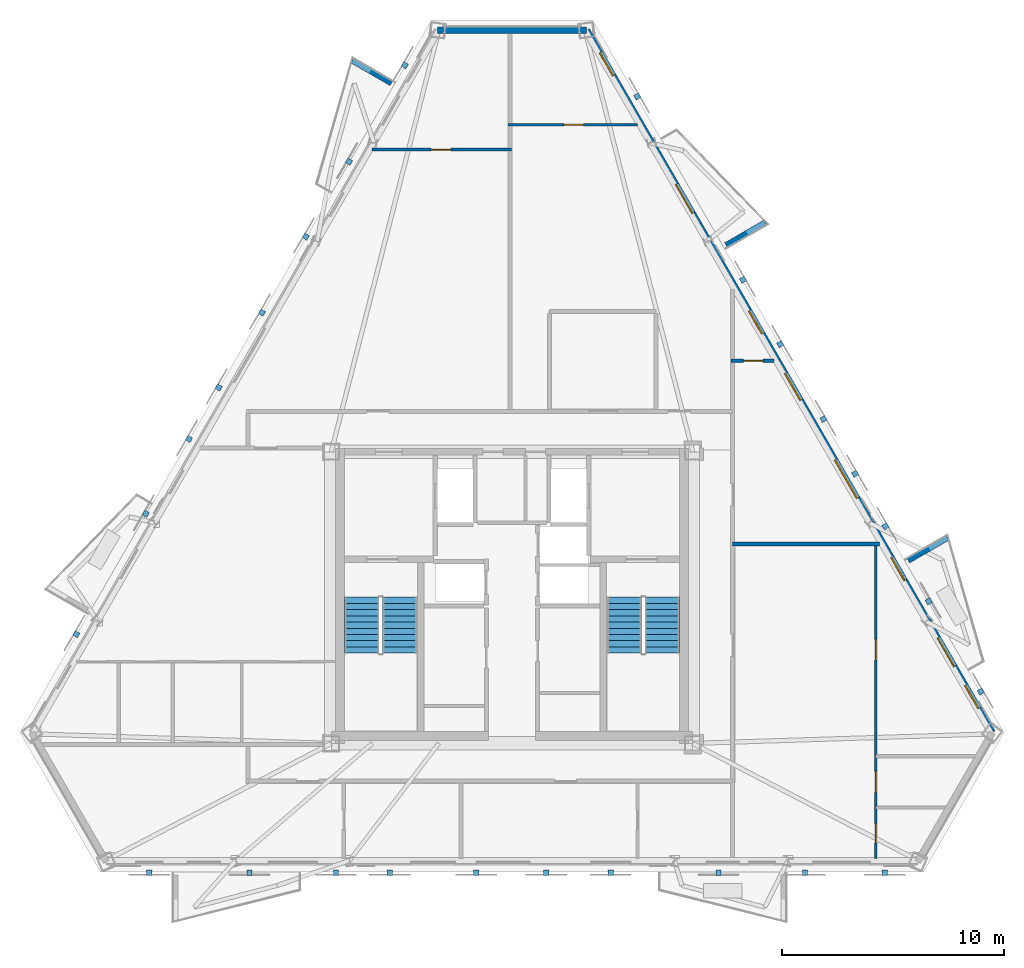
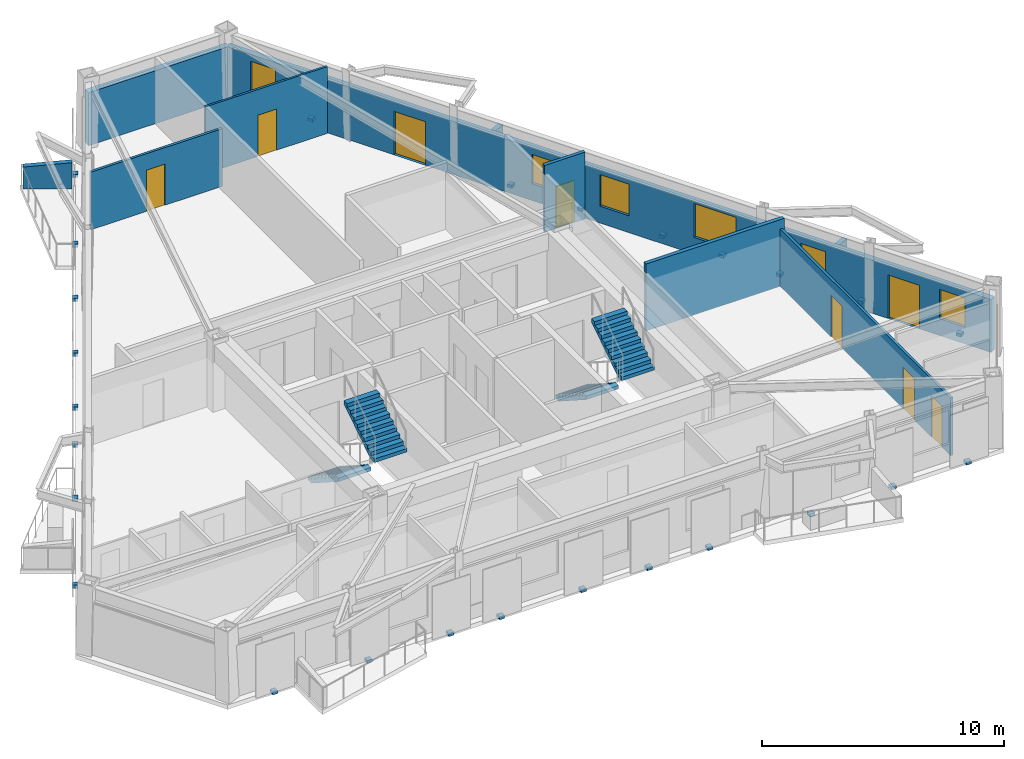
# One storey, part 5 of 8: 26 discrete accessories, 10 walls, 8 doors, 6 windows, 4 stair flights, 14 openings, 2 elements without a shape of their own.
"""IFC4 building model written with IfcOpenShell, lengths in metres."""

import ifcopenshell
import ifcopenshell.guid

model = None  # the IFC model being written
_history = None  # IfcOwnerHistory: only IFC2X3 demands one
_inside = {}  # id of a spatial element -> (the spatial element, [elements in it])
_under = {}  # id of a project, library or spatial element -> (it, [spatial elements below it])
_declared = {}  # id of a project -> (the project, [libraries it declares])
_typed = {}  # id of a type object -> (the type object, [elements of that type])
_made_of = {}  # id of a material, layer set ... -> (it, [elements and type objects made of it])


def new_model(schema):
    """Start an empty IFC model of exactly this schema.

    Asked for "IFC4X3", IfcOpenShell would pick the latest addendum, in which some entities
    have other attributes; the version numbers below select the first issue.
    IFC2X3 requires an IfcOwnerHistory on every rooted entity: one is made here for all.
    """
    global model, _history
    if schema == "IFC4X3":
        model = ifcopenshell.file(schema_version=(4, 3, 0, 0))
    else:
        model = ifcopenshell.file(schema=schema)
    _inside.clear()
    _under.clear()
    _declared.clear()
    _typed.clear()
    _made_of.clear()
    _history = None
    if model.schema == "IFC2X3":
        org = make("IfcOrganization", Name="unknown")
        user = make(
            "IfcPersonAndOrganization",
            ThePerson=make("IfcPerson", FamilyName="unknown"),
            TheOrganization=org,
        )
        app = make(
            "IfcApplication",
            ApplicationDeveloper=org,
            Version="unknown",
            ApplicationFullName="unknown",
            ApplicationIdentifier="unknown",
        )
        _history = make(
            "IfcOwnerHistory",
            OwningUser=user,
            OwningApplication=app,
            ChangeAction="ADDED",
            CreationDate=0,
        )
    return model


def make(cls, **values):
    """One entity of the class cls with the attributes given. An attribute that is None is left unset."""
    return model.create_entity(
        cls, **{name: value for name, value in values.items() if value is not None}
    )


def rooted(cls, **values):
    """An entity with a GlobalId (a new one), such as an element, a storey or a relation."""
    return make(cls, GlobalId=ifcopenshell.guid.new(), OwnerHistory=_history, **values)


def si_unit(unit_type, name, prefix=None):
    """IfcSIUnit, for example si_unit("LENGTHUNIT", "METRE", prefix="MILLI")."""
    return make("IfcSIUnit", UnitType=unit_type, Prefix=prefix, Name=name)


def assignment(units):
    """IfcUnitAssignment: the units of a project."""
    return None if units is None else make("IfcUnitAssignment", Units=units)


def point(xyz):
    """IfcCartesianPoint."""
    return None if xyz is None else make("IfcCartesianPoint", Coordinates=xyz)


def direction(xyz):
    """IfcDirection."""
    return None if xyz is None else make("IfcDirection", DirectionRatios=xyz)


def frame(location, z_axis=None, x_axis=None):
    """IfcAxis2Placement3D, a coordinate frame: its origin and axes. An axis left out is left unset."""
    return make(
        "IfcAxis2Placement3D",
        Location=point(location),
        Axis=direction(z_axis),
        RefDirection=direction(x_axis),
    )


def frame_2d(location, x_axis=None):
    """IfcAxis2Placement2D, a coordinate frame in the plane: its origin and x axis."""
    return make(
        "IfcAxis2Placement2D", Location=point(location), RefDirection=direction(x_axis)
    )


def origin():
    """The frame at (0, 0, 0) with its axes left unset."""
    return frame((0.0, 0.0, 0.0))


def origin_2d():
    """The frame at (0, 0) in the plane with its x axis left unset."""
    return frame_2d((0.0, 0.0))


def place(relative_to, where):
    """IfcLocalPlacement: puts the frame where relative to a parent placement (None: the world)."""
    return make(
        "IfcLocalPlacement", PlacementRelTo=relative_to, RelativePlacement=where
    )


def context(
    kind, dimensions, precision=None, world=None, true_north=None, identifier=None
):
    """IfcGeometricRepresentationContext, for example the 3D "Model" context."""
    return make(
        "IfcGeometricRepresentationContext",
        ContextIdentifier=identifier,
        ContextType=kind,
        CoordinateSpaceDimension=dimensions,
        Precision=precision,
        WorldCoordinateSystem=world,
        TrueNorth=true_north,
    )


def subcontext(parent, identifier, kind, view, scale=None):
    """IfcGeometricRepresentationSubContext, for example "Body" below "Model"."""
    return make(
        "IfcGeometricRepresentationSubContext",
        ContextIdentifier=identifier,
        ContextType=kind,
        ParentContext=parent,
        TargetScale=scale,
        TargetView=view,
    )


def project(units=None, contexts=None):
    """IfcProject with its units and contexts."""
    return rooted(
        "IfcProject",
        Name="project",
        RepresentationContexts=contexts,
        UnitsInContext=assignment(units),
    )


def spatial(cls, under=None, at=None, **own):
    """A site, building, storey or space (cls), placed at a placement, below another one or the project."""
    s = rooted(cls, ObjectPlacement=at, **own)
    if under is not None:
        _under.setdefault(under.id(), (under, []))[1].append(s)
    return s


def polyline(points):
    """IfcPolyline through the points."""
    return make("IfcPolyline", Points=[point(p) for p in points])


def profile(cls, at=None, kind="AREA", **sizes):
    """A parametric profile (cls). Its sizes go by their IFC names, for example OverallWidth=200.0."""
    return make(cls, ProfileType=kind, Position=at, **sizes)


def rectangle(**sizes):
    """IfcRectangleProfileDef."""
    return profile("IfcRectangleProfileDef", **sizes)


def outline(outer, holes=None, kind="AREA"):
    """IfcArbitraryClosedProfileDef: a profile drawn as a closed curve; with holes, ...WithVoids."""
    if holes is None:
        return make("IfcArbitraryClosedProfileDef", ProfileType=kind, OuterCurve=outer)
    return make(
        "IfcArbitraryProfileDefWithVoids",
        ProfileType=kind,
        OuterCurve=outer,
        InnerCurves=holes,
    )


def extrude(swept, where, along, depth):
    """IfcExtrudedAreaSolid: the profile swept, set in the frame where, extruded along a direction by depth."""
    return make(
        "IfcExtrudedAreaSolid",
        SweptArea=swept,
        Position=where,
        ExtrudedDirection=direction(along),
        Depth=depth,
    )


def shape(context_of_items, identifier, shape_type, items):
    """IfcShapeRepresentation: the items that make up one representation, for example the "Body"."""
    return make(
        "IfcShapeRepresentation",
        ContextOfItems=context_of_items,
        RepresentationIdentifier=identifier,
        RepresentationType=shape_type,
        Items=items,
    )


def material(Name=None, Category=None):
    """IfcMaterial."""
    return make("IfcMaterial", Name=Name, Category=Category)


def layer(
    of_material, thickness, ventilated=None, Name=None, Category=None, Priority=None
):
    """IfcMaterialLayer: one layer of a wall or slab, of a material (None: an air gap)."""
    return make(
        "IfcMaterialLayer",
        Material=of_material,
        LayerThickness=thickness,
        IsVentilated=ventilated,
        Name=Name,
        Category=Category,
        Priority=Priority,
    )


def layer_set(layers, Name=None):
    """IfcMaterialLayerSet."""
    return make("IfcMaterialLayerSet", MaterialLayers=layers, LayerSetName=Name)


def made_of(thing, what):
    """Note that an element or type object is made of a material, layer set ...; save() writes the relation."""
    if what is not None:
        _made_of.setdefault(what.id(), (what, []))[1].append(thing)
    return thing


def type_object(cls, material=None, **own):
    """A type object (cls), such as IfcWallType, which elements share."""
    return made_of(rooted(cls, **own), material)


def element(
    cls,
    number,
    at=None,
    inside=None,
    cuts=None,
    type_object=None,
    material=None,
    context=None,
    identifier="Body",
    shape_type=None,
    held_by="IfcProductDefinitionShape",
    body=None,
    shapes=None,
    **own,
):
    """One element of the class cls, such as IfcWall. Its Tag is "e" and its number.

    at: its placement. inside: the storey or other place that contains it. cuts: it is an
    opening in that element (IfcRelVoidsElement). A single representation is given by context,
    identifier, shape_type and body (its items); several are given by shapes. held_by: the class
    of the entity that holds the representations. save() writes the other relations.
    """
    e = rooted(cls, Tag="e%d" % number, ObjectPlacement=at, **own)
    if body is not None:
        shapes = [shape(context, identifier, shape_type, body)]
    if shapes is not None:
        e.Representation = make(held_by, Representations=shapes)
    if inside is not None:
        _inside.setdefault(inside.id(), (inside, []))[1].append(e)
    if cuts is not None:
        rooted(
            "IfcRelVoidsElement", RelatingBuildingElement=cuts, RelatedOpeningElement=e
        )
    if type_object is not None:
        _typed.setdefault(type_object.id(), (type_object, []))[1].append(e)
    return made_of(e, material)


def fill(opening, filler):
    """IfcRelFillsElement: the door or window that sits in an opening."""
    return rooted(
        "IfcRelFillsElement",
        RelatingOpeningElement=opening,
        RelatedBuildingElement=filler,
    )


def aggregate(whole, parts):
    """IfcRelAggregates: a whole, such as a stair, and the parts it consists of."""
    return rooted("IfcRelAggregates", RelatingObject=whole, RelatedObjects=parts)


def save(model, path):
    """Write the relations noted so far, then the file.

    IfcRelAggregates (storeys below a building ...), IfcRelContainedInSpatialStructure (elements
    in a storey), IfcRelDefinesByType, IfcRelAssociatesMaterial and IfcRelDeclares: one each for
    every whole, place, type object, material and project.
    """
    for whole, parts in _under.values():
        aggregate(whole, parts)
    for where, things in _inside.values():
        rooted(
            "IfcRelContainedInSpatialStructure",
            RelatedElements=things,
            RelatingStructure=where,
        )
    for kind, things in _typed.values():
        rooted("IfcRelDefinesByType", RelatedObjects=things, RelatingType=kind)
    for what, things in _made_of.values():
        rooted("IfcRelAssociatesMaterial", RelatedObjects=things, RelatingMaterial=what)
    for by, libraries in _declared.values():
        rooted("IfcRelDeclares", RelatingContext=by, RelatedDefinitions=libraries)
    model.write(path)


model = new_model("IFC4")

# Units and contexts
model_context = context("Model", 3, precision=1e-05, world=origin(), true_north=direction((0.0, 1.0)))
body_context = subcontext(model_context, "Body", "Model", "MODEL_VIEW")
ifc_project = project(units=[si_unit("LENGTHUNIT", "METRE"), si_unit("AREAUNIT", "SQUARE_METRE"), si_unit("VOLUMEUNIT", "CUBIC_METRE"), si_unit("PLANEANGLEUNIT", "RADIAN"), si_unit("MASSUNIT", "GRAM", prefix="KILO")], contexts=[model_context])

# Site, building, storey
site_placement = place(None, origin())
site = spatial("IfcSite", under=ifc_project, at=site_placement, CompositionType="ELEMENT")
building_placement = place(site_placement, origin())
building = spatial("IfcBuilding", under=site, at=building_placement, Name="Oramaril Tower", CompositionType="ELEMENT")
storey_placement = place(building_placement, frame((0.0, 0.0, 216.300048828125)))
storey = spatial("IfcBuildingStorey", under=building, at=storey_placement, Name="L57", CompositionType="ELEMENT", Elevation=216.300048828125)

# Wall, openings, doors, windows
ifc_material_1 = material(Name="Warm Cream Limestone", Category="masonry")
ifc_layer_1 = layer(ifc_material_1, 0.2900390625)
ifc_layer_set_1 = layer_set([ifc_layer_1], Name="WT-EXT29")
wall_type_1 = type_object("IfcWallType", Name="WT-EXT29", PredefinedType="SOLIDWALL", material=ifc_layer_set_1)
wall_1_placement = place(storey_placement, frame((59.1572265625, 11.485107421875, 0.0), z_axis=(0.0, 0.0, 1.0), x_axis=(-0.500000353019, 0.866025199969, 0.0)))
wall_1 = element("IfcWall", 1, at=wall_1_placement, inside=storey, type_object=wall_type_1, Name="L57 Tower Limestone Facade Wall 4M", PredefinedType="SOLIDWALL", context=body_context, shape_type="SweptSolid", body=[
    extrude(rectangle(XDim=36.57861328125, YDim=0.2900390625, at=frame_2d((18.289306640625, 0.0))), origin(), (0.0, 0.0, 1.0), 2.677001953125),
])
opening_1_placement = place(wall_1_placement, frame((3.429443359375, 0.0, 0.0)))
opening_1 = element("IfcOpeningElement", 2, at=opening_1_placement, cuts=wall_1, Name="Opening D-L57-BAL-NE1", PredefinedType="OPENING", context=body_context, shape_type="SweptSolid", body=[
    extrude(rectangle(XDim=1.5, YDim=2.199951171875, at=frame_2d((0.75, 1.10009765625))), frame((0.0, 0.14501953125, 0.0), z_axis=(0.0, -1.0, 0.0), x_axis=(1.0, 0.0, 0.0)), (0.0, 0.0, 1.0), 0.2900390625),
])
opening_2_placement = place(wall_1_placement, frame((27.044189453125, 0.0, 0.0)))
opening_2 = element("IfcOpeningElement", 3, at=opening_2_placement, cuts=wall_1, Name="Opening D-L57-BAL-NE2", PredefinedType="OPENING", context=body_context, shape_type="SweptSolid", body=[
    extrude(rectangle(XDim=1.5, YDim=2.199951171875, at=frame_2d((0.75, 1.10009765625))), frame((0.0, 0.14501953125, 0.0), z_axis=(0.0, -1.0, 0.0), x_axis=(1.0, 0.0, 0.0)), (0.0, 0.0, 1.0), 0.2900390625),
])
opening_3_placement = place(wall_1_placement, frame((7.912841796875, 0.0, 0.85009765625)))
opening_3 = element("IfcOpeningElement", 4, at=opening_3_placement, cuts=wall_1, Name="Opening WN-09", PredefinedType="OPENING", context=body_context, shape_type="SweptSolid", body=[
    extrude(rectangle(XDim=1.199951171875, YDim=1.47998046875, at=frame_2d((0.60009765625, 0.739990234375))), frame((0.0, 0.14501953125, 0.0), z_axis=(0.0, -1.0, 0.0), x_axis=(1.0, 0.0, 0.0)), (0.0, 0.0, 1.0), 0.2900390625),
])
opening_4_placement = place(wall_1_placement, frame((1.257568359375, 0.0, 0.85009765625)))
opening_4 = element("IfcOpeningElement", 5, at=opening_4_placement, cuts=wall_1, Name="Opening WN-09", PredefinedType="OPENING", context=body_context, shape_type="SweptSolid", body=[
    extrude(rectangle(XDim=1.199951171875, YDim=1.47998046875, at=frame_2d((0.60009765625, 0.739990234375))), frame((0.0, 0.14501953125, 0.0), z_axis=(0.0, -1.0, 0.0), x_axis=(1.0, 0.0, 0.0)), (0.0, 0.0, 1.0), 0.2900390625),
])
opening_5_placement = place(wall_1_placement, frame((12.19970703125, 0.0, 0.85009765625)))
opening_5 = element("IfcOpeningElement", 6, at=opening_5_placement, cuts=wall_1, Name="Opening WN-05", PredefinedType="OPENING", context=body_context, shape_type="SweptSolid", body=[
    extrude(rectangle(XDim=2.0, YDim=1.717041015625, at=frame_2d((1.0, 0.8583984375))), frame((0.0, 0.14501953125, 0.0), z_axis=(0.0, -1.0, 0.0), x_axis=(1.0, 0.0, 0.0)), (0.0, 0.0, 1.0), 0.2900390625),
])
opening_6_placement = place(wall_1_placement, frame((17.30224609375, 0.0, 0.85009765625)))
opening_6 = element("IfcOpeningElement", 7, at=opening_6_placement, cuts=wall_1, Name="Opening WN-08", PredefinedType="OPENING", context=body_context, shape_type="SweptSolid", body=[
    extrude(rectangle(XDim=1.39990234375, YDim=1.60009765625, at=frame_2d((0.699951171875, 0.800048828125))), frame((0.0, 0.14501953125, 0.0), z_axis=(0.0, -1.0, 0.0), x_axis=(1.0, 0.0, 0.0)), (0.0, 0.0, 1.0), 0.2900390625),
])
opening_7_placement = place(wall_1_placement, frame((20.75341796875, 0.0, 0.85009765625)))
opening_7 = element("IfcOpeningElement", 8, at=opening_7_placement, cuts=wall_1, Name="Opening WN-09", PredefinedType="OPENING", context=body_context, shape_type="SweptSolid", body=[
    extrude(rectangle(XDim=1.199951171875, YDim=1.47998046875, at=frame_2d((0.60009765625, 0.739990234375))), frame((0.0, 0.14501953125, 0.0), z_axis=(0.0, -1.0, 0.0), x_axis=(1.0, 0.0, 0.0)), (0.0, 0.0, 1.0), 0.2900390625),
])
opening_8_placement = place(wall_1_placement, frame((34.201416015625, 0.0, 0.85009765625)))
opening_8 = element("IfcOpeningElement", 9, at=opening_8_placement, cuts=wall_1, Name="Opening WN-09", PredefinedType="OPENING", context=body_context, shape_type="SweptSolid", body=[
    extrude(rectangle(XDim=1.199951171875, YDim=1.47998046875, at=frame_2d((0.60009765625, 0.739990234375))), frame((0.0, 0.14501953125, 0.0), z_axis=(0.0, -1.0, 0.0), x_axis=(1.0, 0.0, 0.0)), (0.0, 0.0, 1.0), 0.2900390625),
])
ifc_material_2 = material(Name="Anodised Aluminium 6063-T6", Category="aluminium")
door_type_1 = type_object("IfcDoorType", Name="DT-BAL", OperationType="NOTDEFINED", PredefinedType="DOOR", material=ifc_material_2)
door_1_placement = place(opening_1_placement, origin())
door_1 = element("IfcDoor", 10, at=door_1_placement, inside=storey, type_object=door_type_1, Name="L57 Balcony Glazed Door L57-BAL-NE1", OperationType="SINGLE_SWING_RIGHT", OverallHeight=2.199951171875, OverallWidth=1.5, PredefinedType="DOOR", context=body_context, shape_type="SweptSolid", body=[
    extrude(rectangle(XDim=1.5, YDim=2.199951171875, at=frame_2d((0.75, 1.10009765625))), frame((0.0, 0.02490234375, 0.0), z_axis=(0.0, -1.0, 0.0), x_axis=(1.0, 0.0, 0.0)), (0.0, 0.0, 1.0), 0.050048828125),
])
fill(opening_1, door_1)
door_2_placement = place(opening_2_placement, origin())
door_2 = element("IfcDoor", 11, at=door_2_placement, inside=storey, type_object=door_type_1, Name="L57 Balcony Glazed Door L57-BAL-NE2", OperationType="SINGLE_SWING_LEFT", OverallHeight=2.199951171875, OverallWidth=1.5, PredefinedType="DOOR", context=body_context, shape_type="SweptSolid", body=[
    extrude(rectangle(XDim=1.5, YDim=2.199951171875, at=frame_2d((0.75, 1.10009765625))), frame((0.0, 0.02490234375, 0.0), z_axis=(0.0, -1.0, 0.0), x_axis=(1.0, 0.0, 0.0)), (0.0, 0.0, 1.0), 0.050048828125),
])
fill(opening_2, door_2)
ifc_material_3 = material(Name="Coastal Low-E Insulated Glass", Category="glass")
window_type_1 = type_object("IfcWindowType", Name="WNT-05", PartitioningType="SINGLE_PANEL", PredefinedType="WINDOW", material=ifc_material_3)
window_1_placement = place(opening_5_placement, origin())
window_1 = element("IfcWindow", 12, at=window_1_placement, inside=storey, type_object=window_type_1, Name="L57 Chicago Bay Window WN-05", OverallHeight=1.717041015625, OverallWidth=2.0, PartitioningType="SINGLE_PANEL", PredefinedType="WINDOW", context=body_context, shape_type="SweptSolid", body=[
    extrude(rectangle(XDim=2.0, YDim=1.717041015625, at=frame_2d((1.0, 0.8583984375))), frame((0.0, 0.030029296875, 0.0), z_axis=(0.0, -1.0, 0.0), x_axis=(1.0, 0.0, 0.0)), (0.0, 0.0, 1.0), 0.06005859375),
])
fill(opening_5, window_1)
ifc_material_4 = material(Name="Coastal Low-E Insulated Glass", Category="glass")
window_type_2 = type_object("IfcWindowType", Name="WNT-08", PartitioningType="SINGLE_PANEL", PredefinedType="WINDOW", material=ifc_material_4)
window_2_placement = place(opening_6_placement, origin())
window_2 = element("IfcWindow", 13, at=window_2_placement, inside=storey, type_object=window_type_2, Name="L57 Chicago Bay Window WN-08", OverallHeight=1.60009765625, OverallWidth=1.39990234375, PartitioningType="SINGLE_PANEL", PredefinedType="WINDOW", context=body_context, shape_type="SweptSolid", body=[
    extrude(rectangle(XDim=1.39990234375, YDim=1.60009765625, at=frame_2d((0.699951171875, 0.800048828125))), frame((0.0, 0.030029296875, 0.0), z_axis=(0.0, -1.0, 0.0), x_axis=(1.0, 0.0, 0.0)), (0.0, 0.0, 1.0), 0.06005859375),
])
fill(opening_6, window_2)
ifc_material_5 = material(Name="Coastal Low-E Insulated Glass", Category="glass")
window_type_3 = type_object("IfcWindowType", Name="WNT-09", PartitioningType="SINGLE_PANEL", PredefinedType="WINDOW", material=ifc_material_5)
window_3_placement = place(opening_3_placement, origin())
window_3 = element("IfcWindow", 14, at=window_3_placement, inside=storey, type_object=window_type_3, Name="L57 Chicago Bay Window WN-09", OverallHeight=1.47998046875, OverallWidth=1.199951171875, PartitioningType="SINGLE_PANEL", PredefinedType="WINDOW", context=body_context, shape_type="SweptSolid", body=[
    extrude(rectangle(XDim=1.199951171875, YDim=1.47998046875, at=frame_2d((0.60009765625, 0.739990234375))), frame((0.0, 0.030029296875, 0.0), z_axis=(0.0, -1.0, 0.0), x_axis=(1.0, 0.0, 0.0)), (0.0, 0.0, 1.0), 0.06005859375),
])
fill(opening_3, window_3)
window_4_placement = place(opening_4_placement, origin())
window_4 = element("IfcWindow", 15, at=window_4_placement, inside=storey, type_object=window_type_3, Name="L57 Chicago Bay Window WN-09", OverallHeight=1.47998046875, OverallWidth=1.199951171875, PartitioningType="SINGLE_PANEL", PredefinedType="WINDOW", context=body_context, shape_type="SweptSolid", body=[
    extrude(rectangle(XDim=1.199951171875, YDim=1.47998046875, at=frame_2d((0.60009765625, 0.739990234375))), frame((0.0, 0.030029296875, 0.0), z_axis=(0.0, -1.0, 0.0), x_axis=(1.0, 0.0, 0.0)), (0.0, 0.0, 1.0), 0.06005859375),
])
fill(opening_4, window_4)
window_5_placement = place(opening_7_placement, origin())
window_5 = element("IfcWindow", 16, at=window_5_placement, inside=storey, type_object=window_type_3, Name="L57 Chicago Bay Window WN-09", OverallHeight=1.47998046875, OverallWidth=1.199951171875, PartitioningType="SINGLE_PANEL", PredefinedType="WINDOW", context=body_context, shape_type="SweptSolid", body=[
    extrude(rectangle(XDim=1.199951171875, YDim=1.47998046875, at=frame_2d((0.60009765625, 0.739990234375))), frame((0.0, 0.030029296875, 0.0), z_axis=(0.0, -1.0, 0.0), x_axis=(1.0, 0.0, 0.0)), (0.0, 0.0, 1.0), 0.06005859375),
])
fill(opening_7, window_5)
window_6_placement = place(opening_8_placement, origin())
window_6 = element("IfcWindow", 17, at=window_6_placement, inside=storey, type_object=window_type_3, Name="L57 Chicago Bay Window WN-09", OverallHeight=1.47998046875, OverallWidth=1.199951171875, PartitioningType="SINGLE_PANEL", PredefinedType="WINDOW", context=body_context, shape_type="SweptSolid", body=[
    extrude(rectangle(XDim=1.199951171875, YDim=1.47998046875, at=frame_2d((0.60009765625, 0.739990234375))), frame((0.0, 0.030029296875, 0.0), z_axis=(0.0, -1.0, 0.0), x_axis=(1.0, 0.0, 0.0)), (0.0, 0.0, 1.0), 0.06005859375),
])
fill(opening_8, window_6)

# Walls
wall_2_placement = place(storey_placement, frame((40.867919921875, 43.1630859375, 0.0), z_axis=(0.0, 0.0, 1.0), x_axis=(-1.0, 0.0, 0.0)))
element("IfcWall", 18, at=wall_2_placement, inside=storey, type_object=wall_type_1, Name="L57 Tower Limestone Facade Wall 5M", PredefinedType="SOLIDWALL", context=body_context, shape_type="SweptSolid", body=[
    extrude(rectangle(XDim=6.73583984375, YDim=0.2900390625, at=frame_2d((3.367919921875, 0.0))), origin(), (0.0, 0.0, 1.0), 2.677001953125),
])
ifc_material_6 = material(Name="Concrete C40/50", Category="concrete")
ifc_layer_2 = layer(ifc_material_6, 0.22998046875)
ifc_layer_set_2 = layer_set([ifc_layer_2], Name="WT-PRP23")
wall_type_2 = type_object("IfcWallType", Name="WT-PRP23", PredefinedType="PARAPET", material=ifc_layer_set_2)
for number, where, z_axis, x_axis, name in (
    (19, (55.372802734375, 19.23583984375, 0.0), (0.0, 0.0, 1.0), (0.866042246008, 0.499970827278, 0.0), "L57 Trapezoidal Balcony Frame Cheek L57-BAL-NE1-R"),
    (20, (47.150390625, 33.477294921875, 0.0), (0.0, 0.0, 1.0), (0.866042246008, 0.499970827278, 0.0), "L57 Trapezoidal Balcony Frame Cheek L57-BAL-NE2-L"),
    (21, (32.056884765625, 40.764892578125, 0.0), (0.0, 0.0, 1.0), (-0.866012356593, 0.500022597718, 0.0), "L57 Trapezoidal Balcony Frame Cheek L57-BAL-NW1-L"),
):
    element("IfcWall", number, at=place(storey_placement, frame(where, z_axis=z_axis, x_axis=x_axis)), inside=storey, type_object=wall_type_2, Name=name, PredefinedType="PARAPET", context=body_context, shape_type="SweptSolid", body=[
        extrude(outline(polyline([(0.0, 0.0), (2.0419921875, 0.0), (2.0419921875, 1.099853515625), (0.0, 1.320068359375), (0.0, 0.0)])), frame((0.0, 0.114990234375, 0.0), z_axis=(0.0, -1.0, 0.0), x_axis=(1.0, 0.0, 0.0)), (0.0, 0.0, 1.0), 0.22998046875),
    ])

# Wall, opening, door
ifc_material_7 = material(Name="Acoustic Gypsum Board Partition")
ifc_layer_3 = layer(ifc_material_7, 0.10009765625)
ifc_layer_set_3 = layer_set([ifc_layer_3], Name="WT-PT10")
wall_type_3 = type_object("IfcWallType", Name="WT-PT10", PredefinedType="PARTITIONING", material=ifc_layer_set_3)
wall_3_placement = place(storey_placement, frame((37.318115234375, 38.89990234375, 0.0), z_axis=(0.0, 0.0, 1.0), x_axis=(1.0, 0.0, 0.0)))
wall_3 = element("IfcWall", 22, at=wall_3_placement, inside=storey, type_object=wall_type_3, Name="L57 Interior Partition PT-10", PredefinedType="PARTITIONING", context=body_context, shape_type="SweptSolid", body=[
    extrude(rectangle(XDim=5.839111328125, YDim=0.10009765625, at=frame_2d((2.91943359375, 0.0))), origin(), (0.0, 0.0, 1.0), 3.3798828125),
])
opening_9_placement = place(wall_3_placement, frame((2.5205078125, 0.0, 0.0)))
opening_9 = element("IfcOpeningElement", 23, at=opening_9_placement, cuts=wall_3, Name="Opening D-L57-13", PredefinedType="OPENING", context=body_context, shape_type="SweptSolid", body=[
    extrude(rectangle(XDim=0.8798828125, YDim=2.080078125, at=frame_2d((0.43994140625, 1.0400390625))), frame((0.0, 0.050048828125, 0.0), z_axis=(0.0, -1.0, 0.0), x_axis=(1.0, 0.0, 0.0)), (0.0, 0.0, 1.0), 0.10009765625),
])
ifc_material_8 = material(Name="FSC Brazilian Freijo Hardwood", Category="wood")
door_type_2 = type_object("IfcDoorType", Name="DT-BATH", OperationType="NOTDEFINED", PredefinedType="DOOR", material=ifc_material_8)
door_3_placement = place(opening_9_placement, origin())
door_3 = element("IfcDoor", 24, at=door_3_placement, inside=storey, type_object=door_type_2, Name="L57 Flat L57-U7 Bathroom Door D-L57-13", OperationType="SINGLE_SWING_LEFT", OverallHeight=2.080078125, OverallWidth=0.8798828125, PredefinedType="DOOR", context=body_context, shape_type="SweptSolid", body=[
    extrude(rectangle(XDim=0.8798828125, YDim=2.080078125, at=frame_2d((0.43994140625, 1.0400390625))), frame((0.0, 0.02490234375, 0.0), z_axis=(0.0, -1.0, 0.0), x_axis=(1.0, 0.0, 0.0)), (0.0, 0.0, 1.0), 0.050048828125),
])
fill(opening_9, door_3)

ifc_material_9 = material(Name="Acoustic Gypsum Board Partition")
ifc_layer_4 = layer(ifc_material_9, 0.1201171875)
ifc_layer_set_4 = layer_set([ifc_layer_4], Name="WT-PT12")
wall_type_4 = type_object("IfcWallType", Name="WT-PT12", PredefinedType="PARTITIONING", material=ifc_layer_set_4)
wall_4_placement = place(storey_placement, frame((31.1962890625, 37.780029296875, 0.0), z_axis=(0.0, 0.0, 1.0), x_axis=(1.0, 0.0, 0.0)))
wall_4 = element("IfcWall", 25, at=wall_4_placement, inside=storey, type_object=wall_type_4, Name="L57 Interior Partition PT-12", PredefinedType="PARTITIONING", context=body_context, shape_type="SweptSolid", body=[
    extrude(rectangle(XDim=6.28564453125, YDim=0.1201171875, at=frame_2d((3.142822265625, 0.0))), origin(), (0.0, 0.0, 1.0), 2.912841796875),
])
opening_10_placement = place(wall_4_placement, frame((2.66162109375, 0.0, 0.0)))
opening_10 = element("IfcOpeningElement", 26, at=opening_10_placement, cuts=wall_4, Name="Opening D-L57-12", PredefinedType="OPENING", context=body_context, shape_type="SweptSolid", body=[
    extrude(rectangle(XDim=0.8798828125, YDim=2.080078125, at=frame_2d((0.43994140625, 1.0400390625))), frame((0.0, 0.06005859375, 0.0), z_axis=(0.0, -1.0, 0.0), x_axis=(1.0, 0.0, 0.0)), (0.0, 0.0, 1.0), 0.1201171875),
])
door_4_placement = place(opening_10_placement, origin())
door_4 = element("IfcDoor", 27, at=door_4_placement, inside=storey, type_object=door_type_2, Name="L57 Flat L57-U6 Bathroom Door D-L57-12", OperationType="SINGLE_SWING_RIGHT", OverallHeight=2.080078125, OverallWidth=0.8798828125, PredefinedType="DOOR", context=body_context, shape_type="SweptSolid", body=[
    extrude(rectangle(XDim=0.8798828125, YDim=2.080078125, at=frame_2d((0.43994140625, 1.0400390625))), frame((0.0, 0.02490234375, 0.0), z_axis=(0.0, -1.0, 0.0), x_axis=(1.0, 0.0, 0.0)), (0.0, 0.0, 1.0), 0.050048828125),
])
fill(opening_10, door_4)

# Wall, openings, doors
wall_5_placement = place(storey_placement, frame((53.909912109375, 5.80078125, 0.0), z_axis=(0.0, 0.0, 1.0), x_axis=(0.0, 1.0, 0.0)))
wall_5 = element("IfcWall", 28, at=wall_5_placement, inside=storey, type_object=wall_type_4, Name="L57 Interior Partition PT-12", PredefinedType="PARTITIONING", context=body_context, shape_type="SweptSolid", body=[
    extrude(rectangle(XDim=14.105224609375, YDim=0.1201171875, at=frame_2d((7.052734375, 0.0))), origin(), (0.0, 0.0, 1.0), 2.912841796875),
])
opening_11_placement = place(wall_5_placement, frame((0.697509765625, 0.0, 0.0)))
opening_11 = element("IfcOpeningElement", 29, at=opening_11_placement, cuts=wall_5, Name="Opening D-L57-18", PredefinedType="OPENING", context=body_context, shape_type="SweptSolid", body=[
    extrude(rectangle(XDim=0.8798828125, YDim=2.080078125, at=frame_2d((0.43994140625, 1.0400390625))), frame((0.0, 0.06005859375, 0.0), z_axis=(0.0, -1.0, 0.0), x_axis=(1.0, 0.0, 0.0)), (0.0, 0.0, 1.0), 0.1201171875),
])
opening_12_placement = place(wall_5_placement, frame((2.98876953125, 0.0, 0.0)))
opening_12 = element("IfcOpeningElement", 30, at=opening_12_placement, cuts=wall_5, Name="Opening D-L57-19", PredefinedType="OPENING", context=body_context, shape_type="SweptSolid", body=[
    extrude(rectangle(XDim=0.949951171875, YDim=2.10009765625, at=frame_2d((0.47509765625, 1.050048828125))), frame((0.0, 0.06005859375, 0.0), z_axis=(0.0, -1.0, 0.0), x_axis=(1.0, 0.0, 0.0)), (0.0, 0.0, 1.0), 0.1201171875),
])
opening_13_placement = place(wall_5_placement, frame((8.96630859375, 0.0, 0.0)))
opening_13 = element("IfcOpeningElement", 31, at=opening_13_placement, cuts=wall_5, Name="Opening D-L57-20", PredefinedType="OPENING", context=body_context, shape_type="SweptSolid", body=[
    extrude(rectangle(XDim=0.919921875, YDim=2.1201171875, at=frame_2d((0.4599609375, 1.06005859375))), frame((0.0, 0.06005859375, 0.0), z_axis=(0.0, -1.0, 0.0), x_axis=(1.0, 0.0, 0.0)), (0.0, 0.0, 1.0), 0.1201171875),
])
door_5_placement = place(opening_11_placement, origin())
door_5 = element("IfcDoor", 32, at=door_5_placement, inside=storey, type_object=door_type_2, Name="L57 Flat L57-U4 Bathroom Door D-L57-18", OperationType="SINGLE_SWING_RIGHT", OverallHeight=2.080078125, OverallWidth=0.8798828125, PredefinedType="DOOR", context=body_context, shape_type="SweptSolid", body=[
    extrude(rectangle(XDim=0.8798828125, YDim=2.080078125, at=frame_2d((0.43994140625, 1.0400390625))), frame((0.0, 0.02490234375, 0.0), z_axis=(0.0, -1.0, 0.0), x_axis=(1.0, 0.0, 0.0)), (0.0, 0.0, 1.0), 0.050048828125),
])
fill(opening_11, door_5)
ifc_material_10 = material(Name="FSC Brazilian Freijo Hardwood", Category="wood")
door_type_3 = type_object("IfcDoorType", Name="DT-BED", OperationType="NOTDEFINED", PredefinedType="DOOR", material=ifc_material_10)
door_6_placement = place(opening_13_placement, origin())
door_6 = element("IfcDoor", 33, at=door_6_placement, inside=storey, type_object=door_type_3, Name="L57 Flat L57-U4 Master Bedroom Door D-L57-20", OperationType="SINGLE_SWING_RIGHT", OverallHeight=2.1201171875, OverallWidth=0.919921875, PredefinedType="DOOR", context=body_context, shape_type="SweptSolid", body=[
    extrude(rectangle(XDim=0.919921875, YDim=2.1201171875, at=frame_2d((0.4599609375, 1.06005859375))), frame((0.0, 0.02490234375, 0.0), z_axis=(0.0, -1.0, 0.0), x_axis=(1.0, 0.0, 0.0)), (0.0, 0.0, 1.0), 0.050048828125),
])
fill(opening_13, door_6)
ifc_material_11 = material(Name="FSC Brazilian Freijo Hardwood", Category="wood")
door_type_4 = type_object("IfcDoorType", Name="DT-STDY", OperationType="NOTDEFINED", PredefinedType="DOOR", material=ifc_material_11)
door_7_placement = place(opening_12_placement, origin())
door_7 = element("IfcDoor", 34, at=door_7_placement, inside=storey, type_object=door_type_4, Name="L57 Flat L57-U4 Kitchen Door D-L57-19", OperationType="SINGLE_SWING_LEFT", OverallHeight=2.10009765625, OverallWidth=0.949951171875, PredefinedType="DOOR", context=body_context, shape_type="SweptSolid", body=[
    extrude(rectangle(XDim=0.949951171875, YDim=2.10009765625, at=frame_2d((0.47509765625, 1.050048828125))), frame((0.0, 0.02490234375, 0.0), z_axis=(0.0, -1.0, 0.0), x_axis=(1.0, 0.0, 0.0)), (0.0, 0.0, 1.0), 0.050048828125),
])
fill(opening_12, door_7)

# Wall, opening, door
ifc_material_12 = material(Name="Acoustic Gypsum Board Partition")
ifc_layer_5 = layer(ifc_material_12, 0.159912109375)
ifc_layer_set_5 = layer_set([ifc_layer_5], Name="WT-PT16")
wall_type_5 = type_object("IfcWallType", Name="WT-PT16", PredefinedType="PARTITIONING", material=ifc_layer_set_5)
wall_6_placement = place(storey_placement, frame((47.367919921875, 28.25, 0.0), z_axis=(0.0, 0.0, 1.0), x_axis=(1.0, 0.0, 0.0)))
wall_6 = element("IfcWall", 35, at=wall_6_placement, inside=storey, type_object=wall_type_5, Name="L57 Interior Partition PT-16", PredefinedType="PARTITIONING", context=body_context, shape_type="SweptSolid", body=[
    extrude(rectangle(XDim=1.93798828125, YDim=0.159912109375, at=frame_2d((0.968994140625, 0.0))), origin(), (0.0, 0.0, 1.0), 3.3798828125),
])
opening_14_placement = place(wall_6_placement, frame((0.569091796875, 0.0, 0.0)))
opening_14 = element("IfcOpeningElement", 36, at=opening_14_placement, cuts=wall_6, Name="Opening D-L57-11", PredefinedType="OPENING", context=body_context, shape_type="SweptSolid", body=[
    extrude(rectangle(XDim=0.8798828125, YDim=2.080078125, at=frame_2d((0.43994140625, 1.0400390625))), frame((0.0, 0.080078125, 0.0), z_axis=(0.0, -1.0, 0.0), x_axis=(1.0, 0.0, 0.0)), (0.0, 0.0, 1.0), 0.159912109375),
])
door_8_placement = place(opening_14_placement, origin())
door_8 = element("IfcDoor", 37, at=door_8_placement, inside=storey, type_object=door_type_2, Name="L57 Flat L57-U5 Bathroom Door D-L57-11", OperationType="SINGLE_SWING_LEFT", OverallHeight=2.080078125, OverallWidth=0.8798828125, PredefinedType="DOOR", context=body_context, shape_type="SweptSolid", body=[
    extrude(rectangle(XDim=0.8798828125, YDim=2.080078125, at=frame_2d((0.43994140625, 1.0400390625))), frame((0.0, 0.02490234375, 0.0), z_axis=(0.0, -1.0, 0.0), x_axis=(1.0, 0.0, 0.0)), (0.0, 0.0, 1.0), 0.050048828125),
])
fill(opening_14, door_8)

# Wall
ifc_material_13 = material(Name="Autoclaved Cellular Concrete Block", Category="concrete")
ifc_layer_6 = layer(ifc_material_13, 0.179931640625)
ifc_layer_set_6 = layer_set([ifc_layer_6], Name="WT-PT18")
wall_type_6 = type_object("IfcWallType", Name="WT-PT18", PredefinedType="PARTITIONING", material=ifc_layer_set_6)
wall_7_placement = place(storey_placement, frame((47.449951171875, 20.0, 0.0), z_axis=(0.0, 0.0, 1.0), x_axis=(1.0, 0.0, 0.0)))
element("IfcWall", 38, at=wall_7_placement, inside=storey, type_object=wall_type_6, Name="L57 Interior Partition PT-18", PredefinedType="PARTITIONING", context=body_context, shape_type="SweptSolid", body=[
    extrude(rectangle(XDim=6.619140625, YDim=0.179931640625, at=frame_2d((3.3095703125, 0.0))), origin(), (0.0, 0.0, 1.0), 3.3798828125),
])

# Stair, stair flights
ifc_material_14 = material(Name="Concrete C50/60", Category="concrete")
stair_type = type_object("IfcStairType", Name="STT-DG-3600", PredefinedType="HALF_TURN_STAIR", material=ifc_material_14)
stair_1_placement = place(storey_placement, origin())
stair_1 = element("IfcStair", 39, at=stair_1_placement, inside=storey, type_object=stair_type, Name="L57 Protected PFP Exit Stair ST-1", PredefinedType="HALF_TURN_STAIR")
ifc_material_15 = material(Name="Concrete C50/60", Category="concrete")
stair_flight_type = type_object("IfcStairFlightType", Name="SFT-DG-3600", PredefinedType="STRAIGHT", material=ifc_material_15)
stair_flight_1_placement = place(storey_placement, frame((30.72998046875, 17.590087890625, 0.0), z_axis=(0.0, 0.0, 1.0), x_axis=(0.0, -1.0, 0.0)))
stair_flight_1 = element("IfcStairFlight", 40, at=stair_flight_1_placement, type_object=stair_flight_type, Name="ST-1 flight 1", NumberOfRisers=10, NumberOfTreads=9, PredefinedType="STRAIGHT", RiserHeight=0.18, TreadLength=0.28, context=body_context, shape_type="SweptSolid", body=[
    extrude(outline(polyline([(0.0, 0.0), (0.0, 0.179931640625), (0.280029296875, 0.179931640625), (0.280029296875, 0.360107421875), (0.56005859375, 0.360107421875), (0.56005859375, 0.5400390625), (0.840087890625, 0.5400390625), (0.840087890625, 0.719970703125), (1.1201171875, 0.719970703125), (1.1201171875, 0.89990234375), (1.39990234375, 0.89990234375), (1.39990234375, 1.080078125), (1.679931640625, 1.080078125), (1.679931640625, 1.260009765625), (1.9599609375, 1.260009765625), (1.9599609375, 1.43994140625), (2.239990234375, 1.43994140625), (2.239990234375, 1.6201171875), (2.52001953125, 1.6201171875), (2.52001953125, 1.800048828125), (2.52001953125, 1.44189453125), (0.277099609375, 0.0), (0.0, 0.0)])), frame((0.0, 0.780029296875, 0.0), z_axis=(0.0, -1.0, 0.0), x_axis=(1.0, 0.0, 0.0)), (0.0, 0.0, 1.0), 1.56005859375),
])
stair_flight_2_placement = place(storey_placement, frame((32.43994140625, 15.070068359375, 1.800048828125), z_axis=(0.0, 0.0, 1.0), x_axis=(0.0, 1.0, 0.0)))
stair_flight_2 = element("IfcStairFlight", 41, at=stair_flight_2_placement, type_object=stair_flight_type, Name="ST-1 flight 2", NumberOfRisers=10, NumberOfTreads=9, PredefinedType="STRAIGHT", RiserHeight=0.18, TreadLength=0.28, context=body_context, shape_type="SweptSolid", body=[
    extrude(outline(polyline([(0.0, 0.0), (0.0, 0.179931640625), (0.280029296875, 0.179931640625), (0.280029296875, 0.360107421875), (0.56005859375, 0.360107421875), (0.56005859375, 0.5400390625), (0.840087890625, 0.5400390625), (0.840087890625, 0.719970703125), (1.1201171875, 0.719970703125), (1.1201171875, 0.89990234375), (1.39990234375, 0.89990234375), (1.39990234375, 1.080078125), (1.679931640625, 1.080078125), (1.679931640625, 1.260009765625), (1.9599609375, 1.260009765625), (1.9599609375, 1.43994140625), (2.239990234375, 1.43994140625), (2.239990234375, 1.6201171875), (2.52001953125, 1.6201171875), (2.52001953125, 1.800048828125), (2.52001953125, 1.44189453125), (0.277099609375, 0.0), (0.0, 0.0)])), frame((0.0, 0.780029296875, 0.0), z_axis=(0.0, -1.0, 0.0), x_axis=(1.0, 0.0, 0.0)), (0.0, 0.0, 1.0), 1.56005859375),
])
aggregate(stair_1, [stair_flight_1, stair_flight_2])

stair_2_placement = place(storey_placement, origin())
stair_2 = element("IfcStair", 42, at=stair_2_placement, inside=storey, type_object=stair_type, Name="L57 Protected PFP Exit Stair ST-2", PredefinedType="HALF_TURN_STAIR")
stair_flight_3_placement = place(storey_placement, frame((42.56005859375, 17.590087890625, 0.0), z_axis=(0.0, 0.0, 1.0), x_axis=(0.0, -1.0, 0.0)))
stair_flight_3 = element("IfcStairFlight", 43, at=stair_flight_3_placement, type_object=stair_flight_type, Name="ST-2 flight 1", NumberOfRisers=10, NumberOfTreads=9, PredefinedType="STRAIGHT", RiserHeight=0.18, TreadLength=0.28, context=body_context, shape_type="SweptSolid", body=[
    extrude(outline(polyline([(0.0, 0.0), (0.0, 0.179931640625), (0.280029296875, 0.179931640625), (0.280029296875, 0.360107421875), (0.56005859375, 0.360107421875), (0.56005859375, 0.5400390625), (0.840087890625, 0.5400390625), (0.840087890625, 0.719970703125), (1.1201171875, 0.719970703125), (1.1201171875, 0.89990234375), (1.39990234375, 0.89990234375), (1.39990234375, 1.080078125), (1.679931640625, 1.080078125), (1.679931640625, 1.260009765625), (1.9599609375, 1.260009765625), (1.9599609375, 1.43994140625), (2.239990234375, 1.43994140625), (2.239990234375, 1.6201171875), (2.52001953125, 1.6201171875), (2.52001953125, 1.800048828125), (2.52001953125, 1.44189453125), (0.277099609375, 0.0), (0.0, 0.0)])), frame((0.0, 0.780029296875, 0.0), z_axis=(0.0, -1.0, 0.0), x_axis=(1.0, 0.0, 0.0)), (0.0, 0.0, 1.0), 1.56005859375),
])
stair_flight_4_placement = place(storey_placement, frame((44.27001953125, 15.070068359375, 1.800048828125), z_axis=(0.0, 0.0, 1.0), x_axis=(0.0, 1.0, 0.0)))
stair_flight_4 = element("IfcStairFlight", 44, at=stair_flight_4_placement, type_object=stair_flight_type, Name="ST-2 flight 2", NumberOfRisers=10, NumberOfTreads=9, PredefinedType="STRAIGHT", RiserHeight=0.18, TreadLength=0.28, context=body_context, shape_type="SweptSolid", body=[
    extrude(outline(polyline([(0.0, 0.0), (0.0, 0.179931640625), (0.280029296875, 0.179931640625), (0.280029296875, 0.360107421875), (0.56005859375, 0.360107421875), (0.56005859375, 0.5400390625), (0.840087890625, 0.5400390625), (0.840087890625, 0.719970703125), (1.1201171875, 0.719970703125), (1.1201171875, 0.89990234375), (1.39990234375, 0.89990234375), (1.39990234375, 1.080078125), (1.679931640625, 1.080078125), (1.679931640625, 1.260009765625), (1.9599609375, 1.260009765625), (1.9599609375, 1.43994140625), (2.239990234375, 1.43994140625), (2.239990234375, 1.6201171875), (2.52001953125, 1.6201171875), (2.52001953125, 1.800048828125), (2.52001953125, 1.44189453125), (0.277099609375, 0.0), (0.0, 0.0)])), frame((0.0, 0.780029296875, 0.0), z_axis=(0.0, -1.0, 0.0), x_axis=(1.0, 0.0, 0.0)), (0.0, 0.0, 1.0), 1.56005859375),
])
aggregate(stair_2, [stair_flight_3, stair_flight_4])

# Discrete accessories
for number, where, z_axis, x_axis, name in (
    (45, (21.141357421875, 5.171630859375, -0.14013671875), (0.0, 0.0, 1.0), (1.0, 0.0, 0.0), "L57 Solar Screen Slab Bracket"),
    (46, (25.664794921875, 5.171630859375, -0.14013671875), (0.0, 0.0, 1.0), (1.0, 0.0, 0.0), "L57 Solar Screen Slab Bracket"),
    (47, (29.564697265625, 5.171630859375, -0.14013671875), (0.0, 0.0, 1.0), (1.0, 0.0, 0.0), "L57 Solar Screen Slab Bracket"),
    (48, (31.987060546875, 5.171630859375, -0.14013671875), (0.0, 0.0, 1.0), (1.0, 0.0, 0.0), "L57 Solar Screen Slab Bracket"),
    (49, (35.886962890625, 5.171630859375, -0.14013671875), (0.0, 0.0, 1.0), (1.0, 0.0, 0.0), "L57 Solar Screen Slab Bracket"),
    (50, (39.0478515625, 5.171630859375, -0.14013671875), (0.0, 0.0, 1.0), (1.0, 0.0, 0.0), "L57 Solar Screen Slab Bracket"),
    (51, (41.947998046875, 5.171630859375, -0.14013671875), (0.0, 0.0, 1.0), (1.0, 0.0, 0.0), "L57 Solar Screen Slab Bracket"),
    (52, (46.81591796875, 5.171630859375, -0.14013671875), (0.0, 0.0, 1.0), (1.0, 0.0, 0.0), "L57 Solar Screen Slab Bracket"),
    (53, (50.7158203125, 5.171630859375, -0.14013671875), (0.0, 0.0, 1.0), (1.0, 0.0, 0.0), "L57 Solar Screen Slab Bracket"),
    (54, (54.3076171875, 5.171630859375, -0.14013671875), (0.0, 0.0, 1.0), (1.0, 0.0, 0.0), "L57 Solar Screen Slab Bracket"),
    (55, (56.29150390625, 17.40869140625, -0.14013671875), (0.0, 0.0, 1.0), (-0.500001511499, 0.866024531118, 0.0), "L57 Solar Screen Slab Bracket"),
    (56, (54.341552734375, 20.7861328125, -0.14013671875), (0.0, 0.0, 1.0), (-0.500001511499, 0.866024531118, 0.0), "L57 Solar Screen Slab Bracket"),
    (57, (58.644287109375, 13.333740234375, -0.14013671875), (0.0, 0.0, 1.0), (-0.500001511499, 0.866024531118, 0.0), "L57 Solar Screen Slab Bracket"),
    (58, (52.972900390625, 23.156494140625, -0.14013671875), (0.0, 0.0, 1.0), (-0.500001511499, 0.866024531118, 0.0), "L57 Solar Screen Slab Bracket"),
    (59, (51.546875, 25.626708984375, -0.14013671875), (0.0, 0.0, 1.0), (-0.500001511499, 0.866024531118, 0.0), "L57 Solar Screen Slab Bracket"),
    (60, (49.5966796875, 29.00439453125, -0.14013671875), (0.0, 0.0, 1.0), (-0.500001511499, 0.866024531118, 0.0), "L57 Solar Screen Slab Bracket"),
    (61, (47.921142578125, 31.906494140625, -0.14013671875), (0.0, 0.0, 1.0), (-0.500001511499, 0.866024531118, 0.0), "L57 Solar Screen Slab Bracket"),
    (62, (43.147216796875, 40.17529296875, -0.14013671875), (0.0, 0.0, 1.0), (-0.500001511499, 0.866024531118, 0.0), "L57 Solar Screen Slab Bracket"),
    (63, (22.93408203125, 24.727783203125, -0.14013671875), (0.0, 0.0, 1.0), (-0.500001511499, -0.866024531118, 0.0), "L57 Solar Screen Slab Bracket"),
    (64, (20.984130859375, 21.350341796875, -0.14013671875), (0.0, 0.0, 1.0), (-0.500001511499, -0.866024531118, 0.0), "L57 Solar Screen Slab Bracket"),
    (65, (17.851318359375, 15.924072265625, -0.14013671875), (0.0, 0.0, 1.0), (-0.500001511499, -0.866024531118, 0.0), "L57 Solar Screen Slab Bracket"),
    (66, (30.151611328125, 37.228759765625, -0.14013671875), (0.0, 0.0, 1.0), (-0.500001511499, -0.866024531118, 0.0), "L57 Solar Screen Slab Bracket"),
    (67, (28.20166015625, 33.851318359375, -0.14013671875), (0.0, 0.0, 1.0), (-0.500001511499, -0.866024531118, 0.0), "L57 Solar Screen Slab Bracket"),
    (68, (26.222900390625, 30.424072265625, -0.14013671875), (0.0, 0.0, 1.0), (-0.500001511499, -0.866024531118, 0.0), "L57 Solar Screen Slab Bracket"),
    (69, (24.27294921875, 27.04638671875, -0.14013671875), (0.0, 0.0, 1.0), (-0.500001511499, -0.866024531118, 0.0), "L57 Solar Screen Slab Bracket"),
    (70, (32.666015625, 41.583740234375, -0.14013671875), (0.0, 0.0, 1.0), (-0.500001511499, -0.866024531118, 0.0), "L57 Solar Screen Slab Bracket"),
):
    element("IfcDiscreteAccessory", number, at=place(storey_placement, frame(where, z_axis=z_axis, x_axis=x_axis)), inside=storey, Name=name, PredefinedType="BRACKET", context=body_context, shape_type="SweptSolid", body=[
        extrude(rectangle(XDim=0.239990234375, YDim=0.239990234375, at=origin_2d()), origin(), (0.0, 0.0, 1.0), 0.159912109375),
    ])

save(model, "model.ifc")
